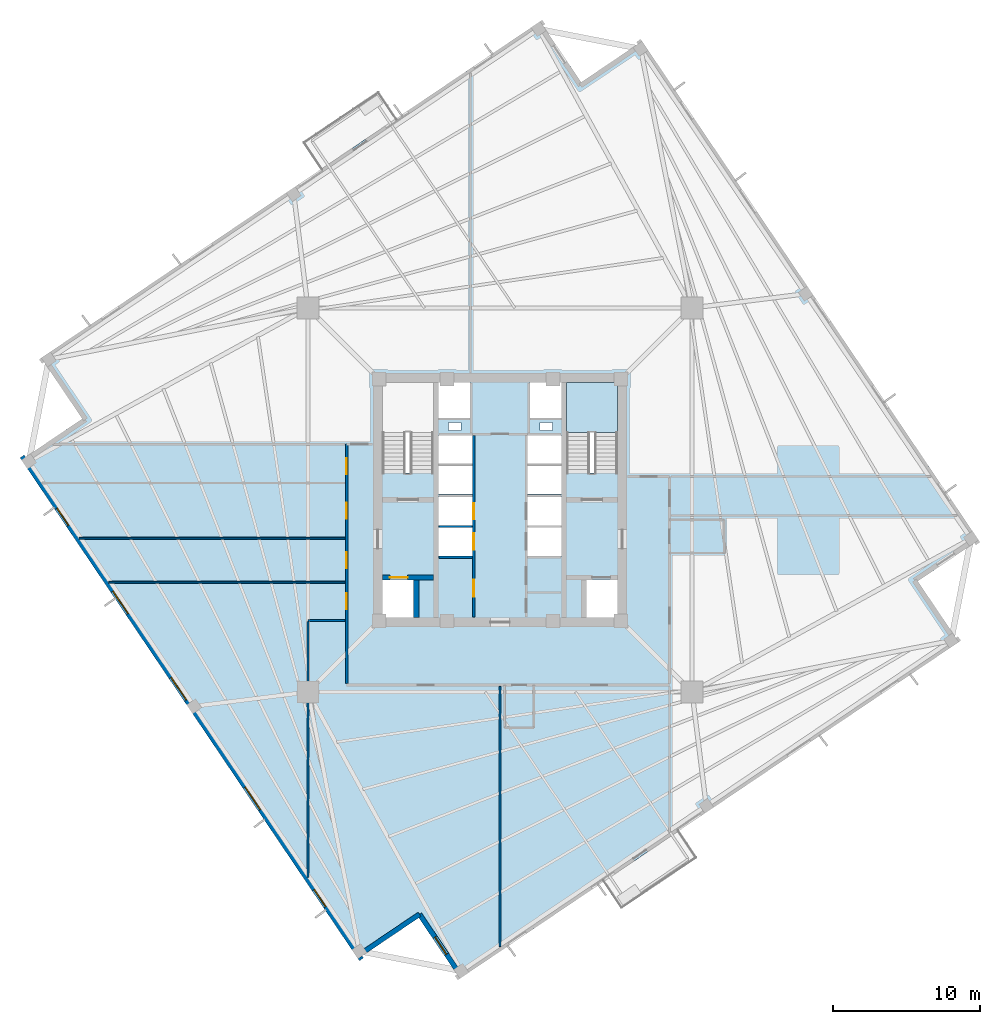
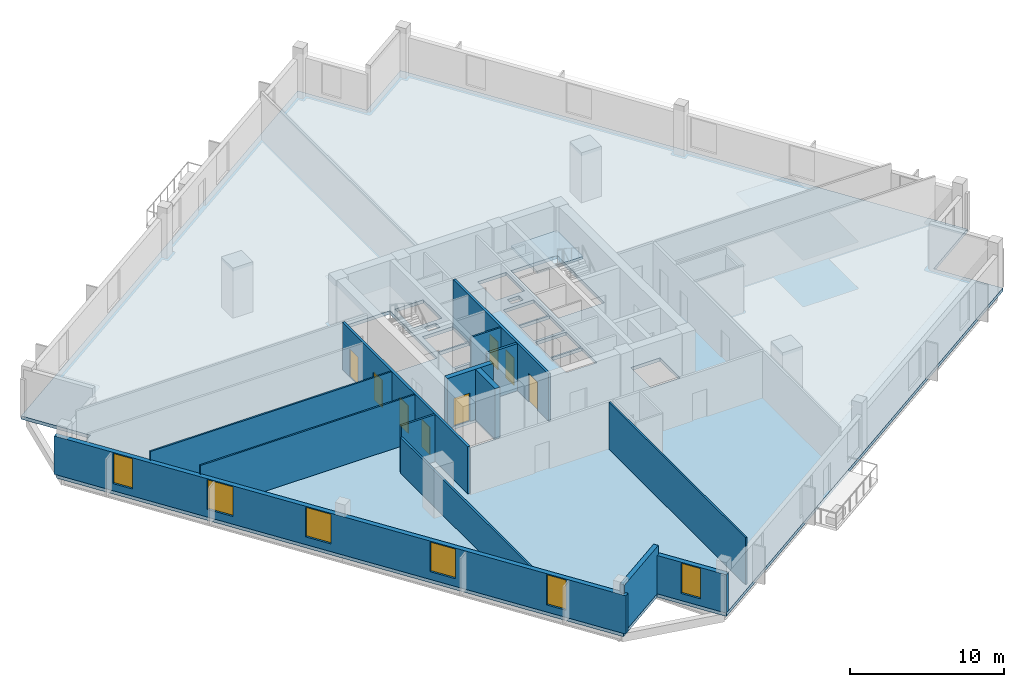
# One storey, part 2 of 8: 14 walls, 8 doors, 6 windows, 2 slabs, 14 openings, 1 element without a shape of its own.
"""IFC4 building model written with IfcOpenShell, lengths in metres."""

from ifc_helpers import new_model, si_unit, direction, frame, frame_2d, origin, place, context, subcontext, project, spatial, polyline, rectangle, outline, extrude, source, transform, mapped, material, layer, layer_set, type_object, element, fill, aggregate, save


model = new_model("IFC4")

# Units and contexts
model_context = context("Model", 3, precision=1e-05, world=origin(), true_north=direction((0.0, 1.0)))
body_context = subcontext(model_context, "Body", "Model", "MODEL_VIEW")
ifc_project = project(units=[si_unit("LENGTHUNIT", "METRE"), si_unit("AREAUNIT", "SQUARE_METRE"), si_unit("VOLUMEUNIT", "CUBIC_METRE"), si_unit("PLANEANGLEUNIT", "RADIAN"), si_unit("MASSUNIT", "GRAM", prefix="KILO"), si_unit("THERMODYNAMICTEMPERATUREUNIT", "KELVIN")], contexts=[model_context])

# Site, building, storey
site_placement = place(None, origin())
site = spatial("IfcSite", under=ifc_project, at=site_placement, CompositionType="ELEMENT")
building_placement = place(site_placement, origin())
building = spatial("IfcBuilding", under=site, at=building_placement, Name="Kosmvard Interchange Tower", CompositionType="ELEMENT")
storey_placement = place(building_placement, frame((0.0, 0.0, 188.39990234375)))
storey = spatial("IfcBuildingStorey", under=building, at=storey_placement, Name="L45", CompositionType="ELEMENT", Elevation=188.39990234375)

# Slab
ifc_material_1 = material(Name="Concrete C50/60", Category="concrete")
ifc_layer_1 = layer(ifc_material_1, 0.260009765625, Name="Concrete C50/60")
ifc_layer_set_1 = layer_set([ifc_layer_1], Name="Concrete C50/60")
slab_type_1 = type_object("IfcSlabType", Name="Mid-Rise Office Composite Slab 260 C50/60", PredefinedType="FLOOR", material=ifc_layer_set_1)
slab_1_placement = place(storey_placement, frame((0.0, 0.0, -0.260009765625)))
element("IfcSlab", 1, at=slab_1_placement, inside=storey, type_object=slab_type_1, Name="L45 Structural Floor Slab", PredefinedType="FLOOR", context=body_context, shape_type="SweptSolid", body=[
    extrude(outline(polyline([(-2.73583984375, -32.60400390625), (31.254638671875, -9.677001953125), (28.458740234375, -5.53173828125), (32.60400390625, -2.73583984375), (9.677001953125, 31.254638671875), (5.53173828125, 28.458740234375), (2.73583984375, 32.60400390625), (-31.254638671875, 9.677001953125), (-28.458740234375, 5.53173828125), (-32.60400390625, 2.73583984375), (-9.677001953125, -31.254638671875), (-5.53173828125, -28.458740234375), (-2.73583984375, -32.60400390625)]), holes=[polyline([(-8.0, 1.8349609375), (-4.5400390625, 1.8349609375), (-4.5400390625, 8.0), (-8.0, 8.0), (-8.0, 1.8349609375)]), polyline([(4.5400390625, 1.8349609375), (8.0, 1.8349609375), (8.0, 8.0), (4.5400390625, 8.0), (4.5400390625, 1.8349609375)]), polyline([(-8.0, -8.0), (-5.800048828125, -8.0), (-5.800048828125, -5.39990234375), (-8.0, -5.39990234375), (-8.0, -8.0)]), polyline([(5.800048828125, -8.0), (8.0, -8.0), (8.0, -5.39990234375), (5.800048828125, -5.39990234375), (5.800048828125, -8.0)]), polyline([(-4.179931640625, -3.800048828125), (-1.8798828125, -3.800048828125), (-1.8798828125, -1.860107421875), (-4.179931640625, -1.860107421875), (-4.179931640625, -3.800048828125)]), polyline([(-4.179931640625, -1.739990234375), (-1.8798828125, -1.739990234375), (-1.8798828125, 0.199951171875), (-4.179931640625, 0.199951171875), (-4.179931640625, -1.739990234375)]), polyline([(1.8798828125, -3.800048828125), (4.179931640625, -3.800048828125), (4.179931640625, -1.860107421875), (1.8798828125, -1.860107421875), (1.8798828125, -3.800048828125)]), polyline([(1.8798828125, -1.739990234375), (4.179931640625, -1.739990234375), (4.179931640625, 0.199951171875), (1.8798828125, 0.199951171875), (1.8798828125, -1.739990234375)]), polyline([(-4.179931640625, 0.39990234375), (-1.8798828125, 0.39990234375), (-1.8798828125, 2.340087890625), (-4.179931640625, 2.340087890625), (-4.179931640625, 0.39990234375)]), polyline([(-4.179931640625, 2.4599609375), (-1.8798828125, 2.4599609375), (-1.8798828125, 4.39990234375), (-4.179931640625, 4.39990234375), (-4.179931640625, 2.4599609375)]), polyline([(1.8798828125, 0.39990234375), (4.179931640625, 0.39990234375), (4.179931640625, 2.340087890625), (1.8798828125, 2.340087890625), (1.8798828125, 0.39990234375)]), polyline([(1.8798828125, 2.4599609375), (4.179931640625, 2.4599609375), (4.179931640625, 4.39990234375), (1.8798828125, 4.39990234375), (1.8798828125, 2.4599609375)]), polyline([(-4.179931640625, 5.60009765625), (-2.0400390625, 5.60009765625), (-2.0400390625, 8.0), (-4.179931640625, 8.0), (-4.179931640625, 5.60009765625)]), polyline([(2.0400390625, 5.60009765625), (4.179931640625, 5.60009765625), (4.179931640625, 8.0), (2.0400390625, 8.0), (2.0400390625, 5.60009765625)]), polyline([(-3.514892578125, 4.739990234375), (-2.6650390625, 4.739990234375), (-2.6650390625, 5.2900390625), (-3.514892578125, 5.2900390625), (-3.514892578125, 4.739990234375)]), polyline([(2.715087890625, 4.739990234375), (3.56494140625, 4.739990234375), (3.56494140625, 5.2900390625), (2.715087890625, 5.2900390625), (2.715087890625, 4.739990234375)])]), origin(), (0.0, 0.0, 1.0), 0.260009765625),
])

# Stair, slab
stair_type = type_object("IfcStairType", Name="Dog-Leg Core Exit Stair H4000 C50/60", PredefinedType="HALF_TURN_STAIR", material=ifc_material_1)
stair_placement = place(storey_placement, origin())
stair = element("IfcStair", 2, at=stair_placement, inside=storey, type_object=stair_type, Name="L45 Protected Exit Stair ST-2", PredefinedType="HALF_TURN_STAIR")
ifc_layer_2 = layer(ifc_material_1, 0.199951171875, Name="Concrete C50/60")
ifc_layer_set_2 = layer_set([ifc_layer_2], Name="Concrete C50/60")
slab_type_2 = type_object("IfcSlabType", Name="Stair Half-Landing Slab 200 C50/60", PredefinedType="LANDING", material=ifc_layer_set_2)
slab_2_placement = place(storey_placement, frame((0.0, 0.0, 1.800048828125)))
slab_2 = element("IfcSlab", 3, at=slab_2_placement, type_object=slab_type_2, Name="ST-2 landing 1", PredefinedType="LANDING", context=body_context, shape_type="SweptSolid", body=[
    extrude(outline(polyline([(8.0, 4.60009765625), (8.0, 8.0), (4.5400390625, 8.0), (4.5400390625, 4.60009765625), (8.0, 4.60009765625)])), origin(), (0.0, 0.0, 1.0), 0.199951171875),
])
aggregate(stair, [slab_2])

# Walls
ifc_material_2 = material(Name="Acoustic gypsum partition system")
ifc_layer_3 = layer(ifc_material_2, 0.14990234375, Name="Acoustic gypsum partition system")
ifc_layer_set_3 = layer_set([ifc_layer_3], Name="Acoustic gypsum partition system")
wall_type_1 = type_object("IfcWallType", Name="Acoustic Suite & Meeting Partition 150", PredefinedType="PARTITIONING", material=ifc_layer_set_3)
wall_1_placement = place(storey_placement, frame((-10.544921875, -8.199951171875, 0.0), z_axis=(0.0, 0.0, 1.0), x_axis=(-1.0, 0.0, 0.0)))
element("IfcWall", 4, at=wall_1_placement, inside=storey, type_object=wall_type_1, Name="L45 Room Partition 06.1", PredefinedType="PARTITIONING", context=body_context, shape_type="SweptSolid", body=[
    extrude(rectangle(XDim=2.5361328125, YDim=0.14990234375, at=frame_2d((1.26806640625, 0.0))), origin(), (0.0, 0.0, 1.0), 3.739990234375),
])
wall_2_placement = place(storey_placement, frame((-13.0810546875, -8.27490234375, 0.0), z_axis=(0.0, 0.0, 1.0), x_axis=(0.0, -1.0, 0.0)))
element("IfcWall", 5, at=wall_2_placement, inside=storey, type_object=wall_type_1, Name="L45 Room Partition 07.1", PredefinedType="PARTITIONING", context=body_context, shape_type="SweptSolid", body=[
    extrude(rectangle(XDim=17.44140625, YDim=0.14990234375, at=frame_2d((8.720703125, 0.0))), origin(), (0.0, 0.0, 1.0), 2.840087890625),
])

# Wall, openings, doors
ifc_material_3 = material(Name="Fire-rated gypsum partition system")
ifc_layer_4 = layer(ifc_material_3, 0.179931640625, Name="Fire-rated gypsum partition system")
ifc_layer_set_4 = layer_set([ifc_layer_4], Name="Fire-rated gypsum partition system")
wall_type_2 = type_object("IfcWallType", Name="Corridor & Hotel Compartment Partition 180", PredefinedType="PARTITIONING", material=ifc_layer_set_4)
wall_3_placement = place(storey_placement, frame((-1.7900390625, -7.97998046875, 0.0), z_axis=(0.0, 0.0, 1.0), x_axis=(0.0, 1.0, 0.0)))
wall_3 = element("IfcWall", 6, at=wall_3_placement, inside=storey, type_object=wall_type_2, Name="L45 West Lift Bank Front Wall", PredefinedType="PARTITIONING", context=body_context, shape_type="SweptSolid", body=[
    extrude(rectangle(XDim=12.3798828125, YDim=0.179931640625, at=frame_2d((6.18994140625, 0.0))), origin(), (0.0, 0.0, 1.0), 3.739990234375),
])
opening_1_placement = place(wall_3_placement, frame((4.60009765625, 0.0, 0.0)))
opening_1 = element("IfcOpeningElement", 7, at=opening_1_placement, cuts=wall_3, Name="Opening LD-PL-M1-L45", PredefinedType="OPENING", context=body_context, shape_type="SweptSolid", body=[
    extrude(rectangle(XDim=1.10009765625, YDim=2.199951171875, at=frame_2d((0.550048828125, 1.10009765625))), frame((0.0, 0.10009765625, 0.0), z_axis=(0.0, -1.0, 0.0), x_axis=(1.0, 0.0, 0.0)), (0.0, 0.0, 1.0), 0.199951171875),
])
opening_2_placement = place(wall_3_placement, frame((6.659912109375, 0.0, 0.0)))
opening_2 = element("IfcOpeningElement", 8, at=opening_2_placement, cuts=wall_3, Name="Opening LD-PL-M2-L45", PredefinedType="OPENING", context=body_context, shape_type="SweptSolid", body=[
    extrude(rectangle(XDim=1.10009765625, YDim=2.199951171875, at=frame_2d((0.550048828125, 1.10009765625))), frame((0.0, 0.10009765625, 0.0), z_axis=(0.0, -1.0, 0.0), x_axis=(1.0, 0.0, 0.0)), (0.0, 0.0, 1.0), 0.199951171875),
])
opening_3_placement = place(wall_3_placement, frame((1.39990234375, 0.0, 0.0)))
opening_3 = element("IfcOpeningElement", 9, at=opening_3_placement, cuts=wall_3, Name="Opening L45-CD1", PredefinedType="OPENING", context=body_context, shape_type="SweptSolid", body=[
    extrude(rectangle(XDim=1.14990234375, YDim=2.25, at=frame_2d((0.574951171875, 1.125))), frame((0.0, 0.10009765625, 0.0), z_axis=(0.0, -1.0, 0.0), x_axis=(1.0, 0.0, 0.0)), (0.0, 0.0, 1.0), 0.199951171875),
])
ifc_material_4 = material(Name="Painted fire-rated steel leaf", Category="steel")
door_type_1 = type_object("IfcDoorType", Name="Plant & Riser Fire Door 1150x2250 EI60", OperationType="NOTDEFINED", PredefinedType="DOOR", material=ifc_material_4)
shared_shape_1 = source(origin(), body_context, "Body", "SweptSolid", [
    extrude(rectangle(XDim=1.14990234375, YDim=2.25, at=frame_2d((0.574951171875, 1.125))), frame((0.0, 0.02490234375, 0.0), z_axis=(0.0, -1.0, 0.0), x_axis=(1.0, 0.0, 0.0)), (0.0, 0.0, 1.0), 0.050048828125),
])
door_1_placement = place(opening_3_placement, origin())
door_1 = element("IfcDoor", 10, at=door_1_placement, inside=storey, type_object=door_type_1, Name="L45 Core Server Door", OperationType="SINGLE_SWING_LEFT", OverallHeight=2.25, OverallWidth=1.14990234375, PredefinedType="DOOR", context=body_context, shape_type="MappedRepresentation", body=[
    mapped(shared_shape_1, transform((0.0, 0.0, 0.0), scale=1.0)),
])
fill(opening_3, door_1)
ifc_material_5 = material(Name="Brushed stainless steel sliding leaf", Category="steel")
door_type_2 = type_object("IfcDoorType", Name="Passenger Lift Sliding Landing Door 1100x2200 EI60", OperationType="DOUBLE_DOOR_SLIDING", PredefinedType="DOOR", material=ifc_material_5)
shared_shape_2 = source(origin(), body_context, "Body", "SweptSolid", [
    extrude(rectangle(XDim=1.10009765625, YDim=2.199951171875, at=frame_2d((0.550048828125, 1.10009765625))), frame((0.0, 0.02490234375, 0.0), z_axis=(0.0, -1.0, 0.0), x_axis=(1.0, 0.0, 0.0)), (0.0, 0.0, 1.0), 0.050048828125),
])
door_2_placement = place(opening_1_placement, frame((1.10009765625, 0.0, 0.0), z_axis=(0.0, 0.0, 1.0), x_axis=(-1.0, 0.0, 0.0)))
door_2 = element("IfcDoor", 11, at=door_2_placement, inside=storey, type_object=door_type_2, Name="Lift PL-M1 Landing Door L45", OperationType="DOUBLE_DOOR_SLIDING", OverallHeight=2.199951171875, OverallWidth=1.10009765625, PredefinedType="DOOR", context=body_context, shape_type="MappedRepresentation", body=[
    mapped(shared_shape_2, transform((0.0, 0.0, 0.0), scale=1.0)),
])
fill(opening_1, door_2)
door_3_placement = place(opening_2_placement, frame((1.10009765625, 0.0, 0.0), z_axis=(0.0, 0.0, 1.0), x_axis=(-1.0, 0.0, 0.0)))
door_3 = element("IfcDoor", 12, at=door_3_placement, inside=storey, type_object=door_type_2, Name="Lift PL-M2 Landing Door L45", OperationType="DOUBLE_DOOR_SLIDING", OverallHeight=2.199951171875, OverallWidth=1.10009765625, PredefinedType="DOOR", context=body_context, shape_type="MappedRepresentation", body=[
    mapped(shared_shape_2, transform((0.0, 0.0, 0.0), scale=1.0)),
])
fill(opening_2, door_3)

wall_4_placement = place(storey_placement, frame((-10.449951171875, -12.5, 0.0), z_axis=(0.0, 0.0, 1.0), x_axis=(0.0, 1.0, 0.0)))
wall_4 = element("IfcWall", 13, at=wall_4_placement, inside=storey, type_object=wall_type_2, Name="L45 Corridor Wall CW", PredefinedType="PARTITIONING", context=body_context, shape_type="SweptSolid", body=[
    extrude(rectangle(XDim=16.300048828125, YDim=0.179931640625, at=frame_2d((8.14990234375, 0.0))), origin(), (0.0, 0.0, 1.0), 3.739990234375),
])
opening_4_placement = place(wall_4_placement, frame((14.260498046875, 0.0, 0.0)))
opening_4 = element("IfcOpeningElement", 14, at=opening_4_placement, cuts=wall_4, Name="Opening L45-D03", PredefinedType="OPENING", context=body_context, shape_type="SweptSolid", body=[
    extrude(rectangle(XDim=1.10009765625, YDim=2.199951171875, at=frame_2d((0.550048828125, 1.10009765625))), frame((0.0, 0.10009765625, 0.0), z_axis=(0.0, -1.0, 0.0), x_axis=(1.0, 0.0, 0.0)), (0.0, 0.0, 1.0), 0.199951171875),
])
opening_5_placement = place(wall_4_placement, frame((11.22509765625, 0.0, 0.0)))
opening_5 = element("IfcOpeningElement", 15, at=opening_5_placement, cuts=wall_4, Name="Opening L45-D07", PredefinedType="OPENING", context=body_context, shape_type="SweptSolid", body=[
    extrude(rectangle(XDim=1.10009765625, YDim=2.199951171875, at=frame_2d((0.550048828125, 1.10009765625))), frame((0.0, 0.10009765625, 0.0), z_axis=(0.0, -1.0, 0.0), x_axis=(1.0, 0.0, 0.0)), (0.0, 0.0, 1.0), 0.199951171875),
])
opening_6_placement = place(wall_4_placement, frame((7.85009765625, 0.0, 0.0)))
opening_6 = element("IfcOpeningElement", 16, at=opening_6_placement, cuts=wall_4, Name="Opening L45-D08", PredefinedType="OPENING", context=body_context, shape_type="SweptSolid", body=[
    extrude(rectangle(XDim=1.10009765625, YDim=2.199951171875, at=frame_2d((0.550048828125, 1.10009765625))), frame((0.0, 0.10009765625, 0.0), z_axis=(0.0, -1.0, 0.0), x_axis=(1.0, 0.0, 0.0)), (0.0, 0.0, 1.0), 0.199951171875),
])
opening_7_placement = place(wall_4_placement, frame((5.050048828125, 0.0, 0.0)))
opening_7 = element("IfcOpeningElement", 17, at=opening_7_placement, cuts=wall_4, Name="Opening L45-D09", PredefinedType="OPENING", context=body_context, shape_type="SweptSolid", body=[
    extrude(rectangle(XDim=1.10009765625, YDim=2.199951171875, at=frame_2d((0.550048828125, 1.10009765625))), frame((0.0, 0.10009765625, 0.0), z_axis=(0.0, -1.0, 0.0), x_axis=(1.0, 0.0, 0.0)), (0.0, 0.0, 1.0), 0.199951171875),
])
ifc_material_6 = material(Name="Engineered oak fire-rated timber", Category="wood")
door_type_3 = type_object("IfcDoorType", Name="Office Suite Entrance Door 1100x2200 FD30S", OperationType="NOTDEFINED", PredefinedType="DOOR", material=ifc_material_6)
door_4_placement = place(opening_4_placement, origin())
door_4 = element("IfcDoor", 18, at=door_4_placement, inside=storey, type_object=door_type_3, Name="L45 Staff Wellness Clinic Door", OperationType="SINGLE_SWING_LEFT", OverallHeight=2.199951171875, OverallWidth=1.10009765625, PredefinedType="DOOR", context=body_context, shape_type="MappedRepresentation", body=[
    mapped(shared_shape_2, transform((0.0, 0.0, 0.0), scale=1.0)),
])
fill(opening_4, door_4)
door_5_placement = place(opening_5_placement, origin())
door_5 = element("IfcDoor", 19, at=door_5_placement, inside=storey, type_object=door_type_3, Name="L45 West Lead Engineer Office 1 Door", OperationType="SINGLE_SWING_LEFT", OverallHeight=2.199951171875, OverallWidth=1.10009765625, PredefinedType="DOOR", context=body_context, shape_type="MappedRepresentation", body=[
    mapped(shared_shape_2, transform((0.0, 0.0, 0.0), scale=1.0)),
])
fill(opening_5, door_5)
door_6_placement = place(opening_6_placement, origin())
door_6 = element("IfcDoor", 20, at=door_6_placement, inside=storey, type_object=door_type_3, Name="L45 West Security Office 2 Door", OperationType="SINGLE_SWING_RIGHT", OverallHeight=2.199951171875, OverallWidth=1.10009765625, PredefinedType="DOOR", context=body_context, shape_type="MappedRepresentation", body=[
    mapped(shared_shape_2, transform((0.0, 0.0, 0.0), scale=1.0)),
])
fill(opening_6, door_6)
door_7_placement = place(opening_7_placement, origin())
door_7 = element("IfcDoor", 21, at=door_7_placement, inside=storey, type_object=door_type_3, Name="L45 Cafe Servery Kitchen Door", OperationType="SINGLE_SWING_LEFT", OverallHeight=2.199951171875, OverallWidth=1.10009765625, PredefinedType="DOOR", context=body_context, shape_type="MappedRepresentation", body=[
    mapped(shared_shape_2, transform((0.0, 0.0, 0.0), scale=1.0)),
])
fill(opening_7, door_7)

# Wall, openings, windows
ifc_material_7 = material(Name="Precast concrete C45/55", Category="concrete")
ifc_layer_5 = layer(ifc_material_7, 0.340087890625, Name="Precast concrete C45/55")
ifc_layer_set_5 = layer_set([ifc_layer_5], Name="Precast concrete C45/55")
wall_type_3 = type_object("IfcWallType", Name="Mid Tower Precast Pier Wall 340 C45/55", PredefinedType="STANDARD", material=ifc_layer_set_5)
wall_5_placement = place(storey_placement, frame((-32.55810546875, 2.971923828125, 0.0), z_axis=(0.0, 0.0, 1.0), x_axis=(0.559194910251, -0.829036218961, 0.0)))
wall_5 = element("IfcWall", 22, at=wall_5_placement, inside=storey, type_object=wall_type_3, Name="L45 Precast Facade Wall F-W", PredefinedType="STANDARD", context=body_context, shape_type="SweptSolid", body=[
    extrude(rectangle(XDim=41.340087890625, YDim=0.340087890625, at=frame_2d((20.669921875, 0.0))), origin(), (0.0, 0.0, 1.0), 3.0400390625),
])
opening_8_placement = place(wall_5_placement, frame((4.2607421875, 0.0, 0.56005859375)))
opening_8 = element("IfcOpeningElement", 23, at=opening_8_placement, cuts=wall_5, Name="Opening L45-W16", PredefinedType="OPENING", context=body_context, shape_type="SweptSolid", body=[
    extrude(rectangle(XDim=1.39990234375, YDim=2.39990234375, at=frame_2d((0.699951171875, 1.199951171875))), frame((0.0, 0.18017578125, 0.0), z_axis=(0.0, -1.0, 0.0), x_axis=(1.0, 0.0, 0.0)), (0.0, 0.0, 1.0), 0.360107421875),
])
opening_9_placement = place(wall_5_placement, frame((11.063720703125, 0.0, 0.610107421875)))
opening_9 = element("IfcOpeningElement", 24, at=opening_9_placement, cuts=wall_5, Name="Opening L45-W17", PredefinedType="OPENING", context=body_context, shape_type="SweptSolid", body=[
    extrude(rectangle(XDim=1.85009765625, YDim=2.35009765625, at=frame_2d((0.925048828125, 1.175048828125))), frame((0.0, 0.18017578125, 0.0), z_axis=(0.0, -1.0, 0.0), x_axis=(1.0, 0.0, 0.0)), (0.0, 0.0, 1.0), 0.360107421875),
])
opening_10_placement = place(wall_5_placement, frame((18.168212890625, 0.0, 0.610107421875)))
opening_10 = element("IfcOpeningElement", 25, at=opening_10_placement, cuts=wall_5, Name="Opening L45-W18", PredefinedType="OPENING", context=body_context, shape_type="SweptSolid", body=[
    extrude(rectangle(XDim=1.85009765625, YDim=2.35009765625, at=frame_2d((0.925048828125, 1.175048828125))), frame((0.0, 0.18017578125, 0.0), z_axis=(0.0, -1.0, 0.0), x_axis=(1.0, 0.0, 0.0)), (0.0, 0.0, 1.0), 0.360107421875),
])
opening_11_placement = place(wall_5_placement, frame((27.186279296875, 0.0, 0.610107421875)))
opening_11 = element("IfcOpeningElement", 26, at=opening_11_placement, cuts=wall_5, Name="Opening L45-W19", PredefinedType="OPENING", context=body_context, shape_type="SweptSolid", body=[
    extrude(rectangle(XDim=1.85009765625, YDim=2.35009765625, at=frame_2d((0.925048828125, 1.175048828125))), frame((0.0, 0.18017578125, 0.0), z_axis=(0.0, -1.0, 0.0), x_axis=(1.0, 0.0, 0.0)), (0.0, 0.0, 1.0), 0.360107421875),
])
opening_12_placement = place(wall_5_placement, frame((35.602294921875, 0.0, 0.56005859375)))
opening_12 = element("IfcOpeningElement", 27, at=opening_12_placement, cuts=wall_5, Name="Opening L45-W20", PredefinedType="OPENING", context=body_context, shape_type="SweptSolid", body=[
    extrude(rectangle(XDim=1.39990234375, YDim=2.39990234375, at=frame_2d((0.699951171875, 1.199951171875))), frame((0.0, 0.18017578125, 0.0), z_axis=(0.0, -1.0, 0.0), x_axis=(1.0, 0.0, 0.0)), (0.0, 0.0, 1.0), 0.360107421875),
])
ifc_material_8 = material(Name="Low-E solar-control double glazing", Category="glass")
window_type_1 = type_object("IfcWindowType", Name="Notched Corner Feature Window 1400x2400", PartitioningType="SINGLE_PANEL", PredefinedType="WINDOW", material=ifc_material_8)
shared_shape_3 = source(origin(), body_context, "Body", "SweptSolid", [
    extrude(rectangle(XDim=1.39990234375, YDim=2.39990234375, at=frame_2d((0.699951171875, 1.199951171875))), frame((0.0, 0.030029296875, 0.0), z_axis=(0.0, -1.0, 0.0), x_axis=(1.0, 0.0, 0.0)), (0.0, 0.0, 1.0), 0.06005859375),
])
window_1_placement = place(opening_8_placement, origin())
window_1 = element("IfcWindow", 28, at=window_1_placement, inside=storey, type_object=window_type_1, Name="L45 Facade Punched Window 16", OverallHeight=2.39990234375, OverallWidth=1.39990234375, PartitioningType="SINGLE_PANEL", PredefinedType="WINDOW", context=body_context, shape_type="MappedRepresentation", body=[
    mapped(shared_shape_3, transform((0.0, 0.0, 0.0), scale=1.0)),
])
fill(opening_8, window_1)
window_2_placement = place(opening_12_placement, origin())
window_2 = element("IfcWindow", 29, at=window_2_placement, inside=storey, type_object=window_type_1, Name="L45 Facade Punched Window 20", OverallHeight=2.39990234375, OverallWidth=1.39990234375, PartitioningType="SINGLE_PANEL", PredefinedType="WINDOW", context=body_context, shape_type="MappedRepresentation", body=[
    mapped(shared_shape_3, transform((0.0, 0.0, 0.0), scale=1.0)),
])
fill(opening_12, window_2)
window_type_2 = type_object("IfcWindowType", Name="Zone 3 Office Punched Window 1850x2350", PartitioningType="SINGLE_PANEL", PredefinedType="WINDOW", material=ifc_material_8)
shared_shape_4 = source(origin(), body_context, "Body", "SweptSolid", [
    extrude(rectangle(XDim=1.85009765625, YDim=2.35009765625, at=frame_2d((0.925048828125, 1.175048828125))), frame((0.0, 0.030029296875, 0.0), z_axis=(0.0, -1.0, 0.0), x_axis=(1.0, 0.0, 0.0)), (0.0, 0.0, 1.0), 0.06005859375),
])
window_3_placement = place(opening_9_placement, origin())
window_3 = element("IfcWindow", 30, at=window_3_placement, inside=storey, type_object=window_type_2, Name="L45 Facade Punched Window 17", OverallHeight=2.35009765625, OverallWidth=1.85009765625, PartitioningType="SINGLE_PANEL", PredefinedType="WINDOW", context=body_context, shape_type="MappedRepresentation", body=[
    mapped(shared_shape_4, transform((0.0, 0.0, 0.0), scale=1.0)),
])
fill(opening_9, window_3)
window_4_placement = place(opening_10_placement, origin())
window_4 = element("IfcWindow", 31, at=window_4_placement, inside=storey, type_object=window_type_2, Name="L45 Facade Punched Window 18", OverallHeight=2.35009765625, OverallWidth=1.85009765625, PartitioningType="SINGLE_PANEL", PredefinedType="WINDOW", context=body_context, shape_type="MappedRepresentation", body=[
    mapped(shared_shape_4, transform((0.0, 0.0, 0.0), scale=1.0)),
])
fill(opening_10, window_4)
window_5_placement = place(opening_11_placement, origin())
window_5 = element("IfcWindow", 32, at=window_5_placement, inside=storey, type_object=window_type_2, Name="L45 Facade Punched Window 19", OverallHeight=2.35009765625, OverallWidth=1.85009765625, PartitioningType="SINGLE_PANEL", PredefinedType="WINDOW", context=body_context, shape_type="MappedRepresentation", body=[
    mapped(shared_shape_4, transform((0.0, 0.0, 0.0), scale=1.0)),
])
fill(opening_11, window_5)

# Wall
wall_6_placement = place(storey_placement, frame((-9.631103515625, -31.018798828125, 0.0), z_axis=(0.0, 0.0, 1.0), x_axis=(0.829025804298, 0.559210350234, 0.0)))
element("IfcWall", 33, at=wall_6_placement, inside=storey, type_object=wall_type_3, Name="L45 Precast Facade Wall N-SW1", PredefinedType="STANDARD", context=body_context, shape_type="SweptSolid", body=[
    extrude(rectangle(XDim=5.000244140625, YDim=0.340087890625, at=frame_2d((2.5, 0.0))), origin(), (0.0, 0.0, 1.0), 3.739990234375),
])

# Wall, opening, window
wall_7_placement = place(storey_placement, frame((-5.48583984375, -28.22265625, 0.0), z_axis=(0.0, 0.0, 1.0), x_axis=(0.559171107879, -0.82905227345, 0.0)))
wall_7 = element("IfcWall", 34, at=wall_7_placement, inside=storey, type_object=wall_type_3, Name="L45 Precast Facade Wall N-SW2", PredefinedType="STANDARD", context=body_context, shape_type="SweptSolid", body=[
    extrude(rectangle(XDim=5.169921875, YDim=0.340087890625, at=frame_2d((2.5849609375, 0.0))), origin(), (0.0, 0.0, 1.0), 3.0400390625),
])
opening_13_placement = place(wall_7_placement, frame((1.885009765625, 0.0, 0.56005859375)))
opening_13 = element("IfcOpeningElement", 35, at=opening_13_placement, cuts=wall_7, Name="Opening L45-W23", PredefinedType="OPENING", context=body_context, shape_type="SweptSolid", body=[
    extrude(rectangle(XDim=1.39990234375, YDim=2.39990234375, at=frame_2d((0.699951171875, 1.199951171875))), frame((0.0, 0.18017578125, 0.0), z_axis=(0.0, -1.0, 0.0), x_axis=(1.0, 0.0, 0.0)), (0.0, 0.0, 1.0), 0.360107421875),
])
window_6_placement = place(opening_13_placement, origin())
window_6 = element("IfcWindow", 36, at=window_6_placement, inside=storey, type_object=window_type_1, Name="L45 Corner Notch Window 23", OverallHeight=2.39990234375, OverallWidth=1.39990234375, PartitioningType="SINGLE_PANEL", PredefinedType="WINDOW", context=body_context, shape_type="MappedRepresentation", body=[
    mapped(shared_shape_3, transform((0.0, 0.0, 0.0), scale=1.0)),
])
fill(opening_13, window_6)

# Walls
ifc_material_9 = material(Name="Gypsum board partition system")
ifc_layer_6 = layer(ifc_material_9, 0.1201171875, Name="Gypsum board partition system")
ifc_layer_set_6 = layer_set([ifc_layer_6], Name="Gypsum board partition system")
wall_type_4 = type_object("IfcWallType", Name="Office Cellular Partition 120", PredefinedType="PARTITIONING", material=ifc_layer_set_6)
wall_8_placement = place(storey_placement, frame((-28.673095703125, -2.60009765625, 0.0), z_axis=(0.0, 0.0, 1.0), x_axis=(1.0, 0.0, 0.0)))
element("IfcWall", 37, at=wall_8_placement, inside=storey, type_object=wall_type_4, Name="L45 Room Partition 08.1", PredefinedType="PARTITIONING", context=body_context, shape_type="SweptSolid", body=[
    extrude(rectangle(XDim=18.128173828125, YDim=0.1201171875, at=frame_2d((9.06396484375, 0.0))), origin(), (0.0, 0.0, 1.0), 3.739990234375),
])
wall_9_placement = place(storey_placement, frame((-26.649658203125, -5.60009765625, 0.0), z_axis=(0.0, 0.0, 1.0), x_axis=(1.0, 0.0, 0.0)))
element("IfcWall", 38, at=wall_9_placement, inside=storey, type_object=wall_type_4, Name="L45 Room Partition 09.1", PredefinedType="PARTITIONING", context=body_context, shape_type="SweptSolid", body=[
    extrude(rectangle(XDim=16.104736328125, YDim=0.1201171875, at=frame_2d((8.05224609375, 0.0))), origin(), (0.0, 0.0, 1.0), 3.739990234375),
])
wall_10_placement = place(storey_placement, frame((0.0, -30.4267578125, 0.0), z_axis=(0.0, 0.0, 1.0), x_axis=(0.0, 1.0, 0.0)))
element("IfcWall", 39, at=wall_10_placement, inside=storey, type_object=wall_type_4, Name="L45 Room Partition 10.1", PredefinedType="PARTITIONING", context=body_context, shape_type="SweptSolid", body=[
    extrude(rectangle(XDim=17.731689453125, YDim=0.1201171875, at=frame_2d((8.86572265625, 0.0))), origin(), (0.0, 0.0, 1.0), 3.739990234375),
])
ifc_material_10 = material(Name="Concrete blockwork masonry", Category="masonry")
ifc_layer_7 = layer(ifc_material_10, 0.179931640625, Name="Concrete blockwork masonry")
ifc_layer_set_7 = layer_set([ifc_layer_7], Name="Concrete blockwork masonry")
wall_type_5 = type_object("IfcWallType", Name="Riser & Lift Bank Divider Wall 180", PredefinedType="PARTITIONING", material=ifc_layer_set_7)
wall_11_placement = place(storey_placement, frame((-4.169921875, -3.89990234375, 0.0), z_axis=(0.0, 0.0, 1.0), x_axis=(1.0, 0.0, 0.0)))
element("IfcWall", 40, at=wall_11_placement, inside=storey, type_object=wall_type_5, Name="L45 West Bank Divider BD1", PredefinedType="PARTITIONING", context=body_context, shape_type="SweptSolid", body=[
    extrude(rectangle(XDim=2.280029296875, YDim=0.179931640625, at=frame_2d((1.14013671875, 0.0))), origin(), (0.0, 0.0, 1.0), 3.739990234375),
])
ifc_material_11 = material(Name="Fire-rated gypsum shaftwall system")
ifc_layer_8 = layer(ifc_material_11, 0.1201171875, Name="Fire-rated gypsum shaftwall system")
ifc_layer_set_8 = layer_set([ifc_layer_8], Name="Fire-rated gypsum shaftwall system")
wall_type_6 = type_object("IfcWallType", Name="Shaft & Riser Fire Partition 120 EI60", PredefinedType="PARTITIONING", material=ifc_layer_set_8)
wall_12_placement = place(storey_placement, frame((-4.159912109375, -1.800048828125, 0.0), z_axis=(0.0, 0.0, 1.0), x_axis=(1.0, 0.0, 0.0)))
element("IfcWall", 41, at=wall_12_placement, inside=storey, type_object=wall_type_6, Name="L45 Shaft Divider PL-M1", PredefinedType="PARTITIONING", context=body_context, shape_type="SweptSolid", body=[
    extrude(rectangle(XDim=2.260009765625, YDim=0.1201171875, at=frame_2d((1.1298828125, 0.0))), origin(), (0.0, 0.0, 1.0), 3.739990234375),
])

# Wall, opening, door
ifc_material_12 = material(Name="Concrete C60/75", Category="concrete")
ifc_layer_9 = layer(ifc_material_12, 0.360107421875, Name="Concrete C60/75")
ifc_layer_set_9 = layer_set([ifc_layer_9], Name="Concrete C60/75")
wall_type_7 = type_object("IfcWallType", Name="Stair & Lift Shaft Shear Wall 360 C60/75", PredefinedType="SHEAR", material=ifc_layer_set_9)
wall_13_placement = place(storey_placement, frame((-8.0, -5.280029296875, 0.0), z_axis=(0.0, 0.0, 1.0), x_axis=(1.0, 0.0, 0.0)))
wall_13 = element("IfcWall", 42, at=wall_13_placement, inside=storey, type_object=wall_type_7, Name="L45 Shaft Shear Wall SW-FF1", PredefinedType="SHEAR", context=body_context, shape_type="SweptSolid", body=[
    extrude(rectangle(XDim=3.4599609375, YDim=0.360107421875, at=frame_2d((1.72998046875, 0.0))), origin(), (0.0, 0.0, 1.0), 4.0),
])
opening_14_placement = place(wall_13_placement, frame((0.5, 0.0, 0.0)))
opening_14 = element("IfcOpeningElement", 43, at=opening_14_placement, cuts=wall_13, Name="Opening LD-FF-1-L45", PredefinedType="OPENING", context=body_context, shape_type="SweptSolid", body=[
    extrude(rectangle(XDim=1.199951171875, YDim=2.25, at=frame_2d((0.60009765625, 1.125))), frame((0.0, 0.18994140625, 0.0), z_axis=(0.0, -1.0, 0.0), x_axis=(1.0, 0.0, 0.0)), (0.0, 0.0, 1.0), 0.380126953125),
])
door_type_4 = type_object("IfcDoorType", Name="Firefighting Lift Sliding Landing Door 1200x2250 EI120", OperationType="DOUBLE_DOOR_SLIDING", PredefinedType="DOOR", material=ifc_material_5)
shared_shape_5 = source(origin(), body_context, "Body", "SweptSolid", [
    extrude(rectangle(XDim=1.199951171875, YDim=2.25, at=frame_2d((0.60009765625, 1.125))), frame((0.0, 0.02490234375, 0.0), z_axis=(0.0, -1.0, 0.0), x_axis=(1.0, 0.0, 0.0)), (0.0, 0.0, 1.0), 0.050048828125),
])
door_8_placement = place(opening_14_placement, origin())
door_8 = element("IfcDoor", 44, at=door_8_placement, inside=storey, type_object=door_type_4, Name="Lift FF-1 Landing Door L45", OperationType="DOUBLE_DOOR_SLIDING", OverallHeight=2.25, OverallWidth=1.199951171875, PredefinedType="DOOR", context=body_context, shape_type="MappedRepresentation", body=[
    mapped(shared_shape_5, transform((0.0, 0.0, 0.0), scale=1.0)),
])
fill(opening_14, door_8)

# Wall
wall_14_placement = place(storey_placement, frame((-5.7099609375, -8.0, 0.0), z_axis=(0.0, 0.0, 1.0), x_axis=(0.0, 1.0, 0.0)))
element("IfcWall", 45, at=wall_14_placement, inside=storey, type_object=wall_type_7, Name="L45 Shaft Shear Wall SW-SM1", PredefinedType="SHEAR", context=body_context, shape_type="SweptSolid", body=[
    extrude(rectangle(XDim=2.5400390625, YDim=0.360107421875, at=frame_2d((1.27001953125, 0.0))), origin(), (0.0, 0.0, 1.0), 4.0),
])

save(model, "model.ifc")
